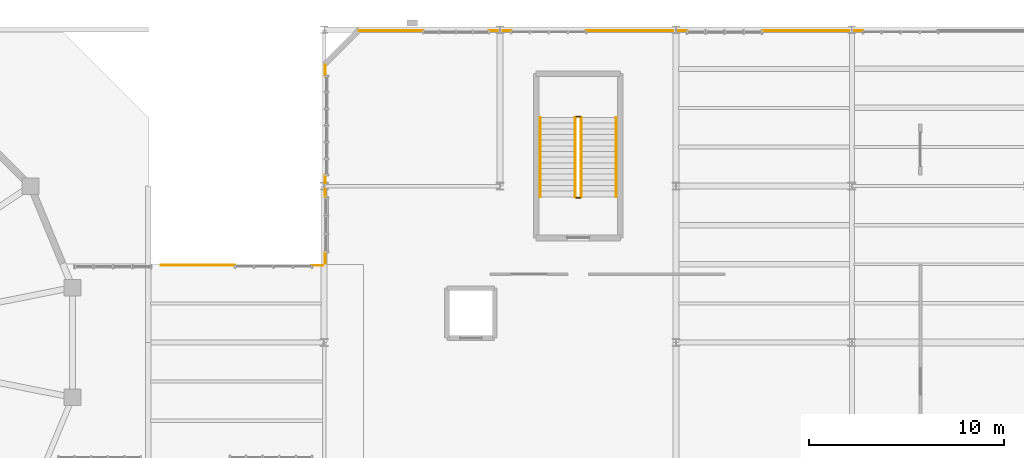
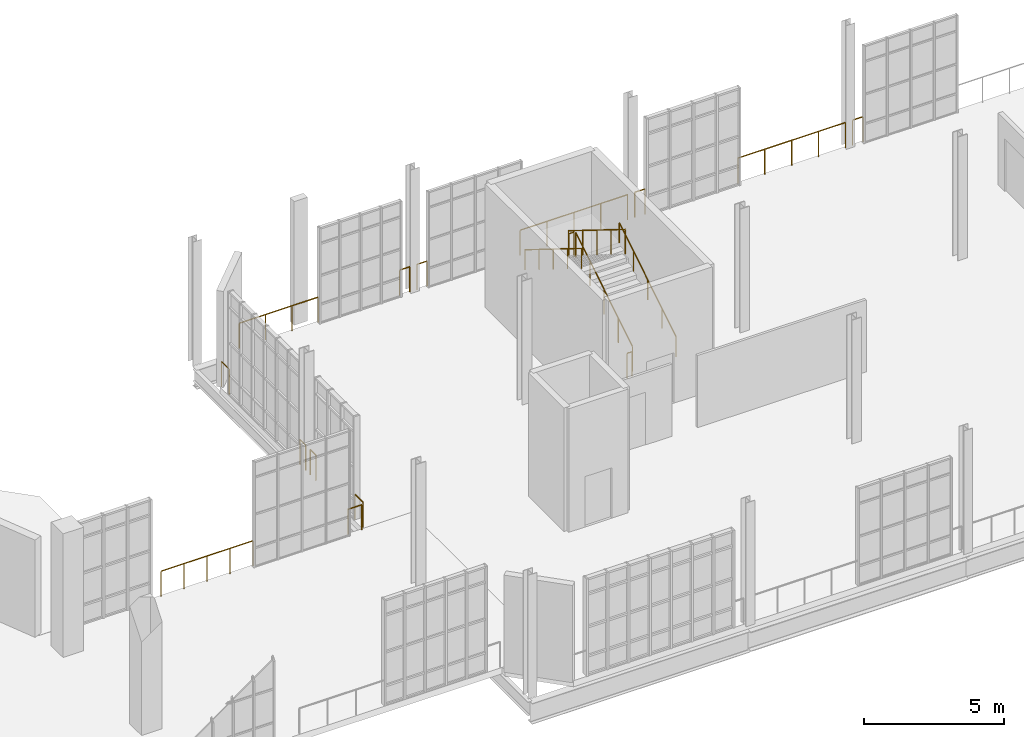
# One storey, part 139 of 142: 19 railings.
"""IFC4 building model written with IfcOpenShell, lengths in metres."""

from ifc_helpers import new_model, si_unit, direction, frame, origin, origin_2d, place, context, subcontext, project, spatial, circle, extrude, material, type_object, element, save


model = new_model("IFC4")

# Units and contexts
model_context = context("Model", 3, precision=1e-05, world=origin(), true_north=direction((0.0, 1.0)))
body_context = subcontext(model_context, "Body", "Model", "MODEL_VIEW")
ifc_project = project(units=[si_unit("LENGTHUNIT", "METRE"), si_unit("AREAUNIT", "SQUARE_METRE"), si_unit("VOLUMEUNIT", "CUBIC_METRE"), si_unit("PLANEANGLEUNIT", "RADIAN"), si_unit("MASSUNIT", "GRAM", prefix="KILO"), si_unit("THERMODYNAMICTEMPERATUREUNIT", "KELVIN"), si_unit("POWERUNIT", "WATT")], contexts=[model_context])

# Site, building, storey
site_placement = place(None, origin())
site = spatial("IfcSite", under=ifc_project, at=site_placement, CompositionType="ELEMENT")
building_placement = place(site_placement, origin())
building = spatial("IfcBuilding", under=site, at=building_placement, Name="Zelmaris Science Centre", CompositionType="ELEMENT")
storey_placement = place(building_placement, frame((0.0, 0.0, 5.39990234375)))
storey = spatial("IfcBuildingStorey", under=building, at=storey_placement, Name="L01", CompositionType="ELEMENT", Elevation=5.39990234375)

# Railings
ifc_material = material(Name="Architectural bronze alloy C28000")
railing_type_1 = type_object("IfcRailingType", Name="Balustrade GD-01 H1120", PredefinedType="BALUSTRADE", material=ifc_material)
railing_1_placement = place(storey_placement, frame((45.649658203125, 75.941650390625, 0.0)))
element("IfcRailing", 1, at=railing_1_placement, inside=storey, type_object=railing_type_1, Name="L01 Perimeter safety balustrade 50", PredefinedType="BALUSTRADE", context=body_context, shape_type="SweptSolid", body=[
    extrude(circle(Radius=0.02392578125, at=origin_2d()), frame((0.0, 0.0, 1.09619140625), z_axis=(0.999999981339, -0.000193186937, 0.0), x_axis=(0.000193186937, 0.999999981339, 0.0)), (0.0, 0.0, 1.0), 3.791259765625),
    extrude(circle(Radius=0.02099609375, at=origin_2d()), origin(), (0.0, 0.0, 1.0), 1.072021484375),
    extrude(circle(Radius=0.02099609375, at=origin_2d()), frame((0.94775390625, -0.000244140625, 0.0)), (0.0, 0.0, 1.0), 1.072021484375),
    extrude(circle(Radius=0.02099609375, at=origin_2d()), frame((1.8955078125, -0.00048828125, 0.0)), (0.0, 0.0, 1.0), 1.072021484375),
    extrude(circle(Radius=0.02099609375, at=origin_2d()), frame((2.843505859375, -0.00048828125, 0.0)), (0.0, 0.0, 1.0), 1.072021484375),
    extrude(circle(Radius=0.02099609375, at=origin_2d()), frame((3.791259765625, -0.000732421875, 0.0)), (0.0, 0.0, 1.0), 1.072021484375),
])
railing_2_placement = place(storey_placement, frame((53.3701171875, 75.940185546875, 0.0)))
element("IfcRailing", 2, at=railing_2_placement, inside=storey, type_object=railing_type_1, Name="L01 Perimeter safety balustrade 51", PredefinedType="BALUSTRADE", context=body_context, shape_type="SweptSolid", body=[
    extrude(circle(Radius=0.02392578125, at=origin_2d()), frame((0.0, 0.0, 1.09619140625), z_axis=(0.999999908216, -0.000428448975, 0.0), x_axis=(0.000428448975, 0.999999908216, 0.0)), (0.0, 0.0, 1.0), 0.56982421875),
    extrude(circle(Radius=0.02099609375, at=origin_2d()), origin(), (0.0, 0.0, 1.0), 1.072021484375),
    extrude(circle(Radius=0.02099609375, at=origin_2d()), frame((0.56982421875, -0.000244140625, 0.0)), (0.0, 0.0, 1.0), 1.072021484375),
])
railing_3_placement = place(storey_placement, frame((54.06005859375, 76.06005859375, 0.0)))
element("IfcRailing", 3, at=railing_3_placement, inside=storey, type_object=railing_type_1, Name="L01 Perimeter safety balustrade 52", PredefinedType="BALUSTRADE", context=body_context, shape_type="SweptSolid", body=[
    extrude(circle(Radius=0.02392578125, at=origin_2d()), frame((0.0, 0.0, 1.09619140625), z_axis=(0.0, 1.0, 0.0), x_axis=(-1.0, 0.0, 0.0)), (0.0, 0.0, 1.0), 0.56982421875),
    extrude(circle(Radius=0.02099609375, at=origin_2d()), origin(), (0.0, 0.0, 1.0), 1.072021484375),
    extrude(circle(Radius=0.02099609375, at=origin_2d()), frame((0.0, 0.56982421875, 0.0)), (0.0, 0.0, 1.0), 1.072021484375),
])
for number, where, name in (
    (4, (54.06005859375, 79.429931640625, 0.0), "L01 Perimeter safety balustrade 53"),
    (5, (54.06005859375, 80.1630859375, 0.0), "L01 Perimeter safety balustrade 54"),
):
    element("IfcRailing", number, at=place(storey_placement, frame(where)), inside=storey, type_object=railing_type_1, Name=name, PredefinedType="BALUSTRADE", context=body_context, shape_type="SweptSolid", body=[
        extrude(circle(Radius=0.02392578125, at=origin_2d()), frame((0.0, 0.0, 1.09619140625), z_axis=(0.0, 1.0, 0.0), x_axis=(-1.0, 0.0, 0.0)), (0.0, 0.0, 1.0), 0.406982421875),
        extrude(circle(Radius=0.02099609375, at=origin_2d()), origin(), (0.0, 0.0, 1.0), 1.072021484375),
        extrude(circle(Radius=0.02099609375, at=origin_2d()), frame((0.0, 0.406982421875, 0.0)), (0.0, 0.0, 1.0), 1.072021484375),
    ])
railing_4_placement = place(storey_placement, frame((54.06005859375, 85.6298828125, 0.0)))
element("IfcRailing", 6, at=railing_4_placement, inside=storey, type_object=railing_type_1, Name="L01 Perimeter safety balustrade 55", PredefinedType="BALUSTRADE", context=body_context, shape_type="SweptSolid", body=[
    extrude(circle(Radius=0.02392578125, at=origin_2d()), frame((0.0, 0.0, 1.09619140625), z_axis=(0.0, 1.0, 0.0), x_axis=(-1.0, 0.0, 0.0)), (0.0, 0.0, 1.0), 0.570068359375),
    extrude(circle(Radius=0.02099609375, at=origin_2d()), origin(), (0.0, 0.0, 1.0), 1.072021484375),
    extrude(circle(Radius=0.02099609375, at=origin_2d()), frame((0.0, 0.570068359375, 0.0)), (0.0, 0.0, 1.0), 1.072021484375),
])
railing_5_placement = place(storey_placement, frame((55.800048828125, 87.93994140625, 0.0)))
element("IfcRailing", 7, at=railing_5_placement, inside=storey, type_object=railing_type_1, Name="L01 Perimeter safety balustrade 56", PredefinedType="BALUSTRADE", context=body_context, shape_type="SweptSolid", body=[
    extrude(circle(Radius=0.02392578125, at=origin_2d()), frame((0.0, 0.0, 1.09619140625), z_axis=(1.0, 0.0, 0.0), x_axis=(0.0, 1.0, 0.0)), (0.0, 0.0, 1.0), 3.27001953125),
    extrude(circle(Radius=0.02099609375, at=origin_2d()), origin(), (0.0, 0.0, 1.0), 1.072021484375),
    extrude(circle(Radius=0.02099609375, at=origin_2d()), frame((1.090087890625, 0.0, 0.0)), (0.0, 0.0, 1.0), 1.072021484375),
    extrude(circle(Radius=0.02099609375, at=origin_2d()), frame((2.179931640625, 0.0, 0.0)), (0.0, 0.0, 1.0), 1.072021484375),
    extrude(circle(Radius=0.02099609375, at=origin_2d()), frame((3.27001953125, 0.0, 0.0)), (0.0, 0.0, 1.0), 1.072021484375),
])
for number, where, name in (
    (8, (62.429931640625, 87.93994140625, 0.0), "L01 Perimeter safety balustrade 57"),
    (9, (63.14794921875, 87.93994140625, 0.0), "L01 Perimeter safety balustrade 58"),
):
    element("IfcRailing", number, at=place(storey_placement, frame(where)), inside=storey, type_object=railing_type_1, Name=name, PredefinedType="BALUSTRADE", context=body_context, shape_type="SweptSolid", body=[
        extrude(circle(Radius=0.02392578125, at=origin_2d()), frame((0.0, 0.0, 1.09619140625), z_axis=(1.0, 0.0, 0.0), x_axis=(0.0, 1.0, 0.0)), (0.0, 0.0, 1.0), 0.422119140625),
        extrude(circle(Radius=0.02099609375, at=origin_2d()), origin(), (0.0, 0.0, 1.0), 1.072021484375),
        extrude(circle(Radius=0.02099609375, at=origin_2d()), frame((0.422119140625, 0.0, 0.0)), (0.0, 0.0, 1.0), 1.072021484375),
    ])
railing_6_placement = place(storey_placement, frame((67.409912109375, 87.93994140625, 0.0)))
element("IfcRailing", 10, at=railing_6_placement, inside=storey, type_object=railing_type_1, Name="L01 Perimeter safety balustrade 59", PredefinedType="BALUSTRADE", context=body_context, shape_type="SweptSolid", body=[
    extrude(circle(Radius=0.02392578125, at=origin_2d()), frame((0.0, 0.0, 1.09619140625), z_axis=(1.0, 0.0, 0.0), x_axis=(0.0, 1.0, 0.0)), (0.0, 0.0, 1.0), 4.442138671875),
    extrude(circle(Radius=0.02099609375, at=origin_2d()), origin(), (0.0, 0.0, 1.0), 1.072021484375),
    extrude(circle(Radius=0.02099609375, at=origin_2d()), frame((1.110595703125, 0.0, 0.0)), (0.0, 0.0, 1.0), 1.072021484375),
    extrude(circle(Radius=0.02099609375, at=origin_2d()), frame((2.22119140625, 0.0, 0.0)), (0.0, 0.0, 1.0), 1.072021484375),
    extrude(circle(Radius=0.02099609375, at=origin_2d()), frame((3.33154296875, 0.0, 0.0)), (0.0, 0.0, 1.0), 1.072021484375),
    extrude(circle(Radius=0.02099609375, at=origin_2d()), frame((4.442138671875, 0.0, 0.0)), (0.0, 0.0, 1.0), 1.072021484375),
])
railing_7_placement = place(storey_placement, frame((72.14794921875, 87.93994140625, 0.0)))
element("IfcRailing", 11, at=railing_7_placement, inside=storey, type_object=railing_type_1, Name="L01 Perimeter safety balustrade 60", PredefinedType="BALUSTRADE", context=body_context, shape_type="SweptSolid", body=[
    extrude(circle(Radius=0.02392578125, at=origin_2d()), frame((0.0, 0.0, 1.09619140625), z_axis=(1.0, 0.0, 0.0), x_axis=(0.0, 1.0, 0.0)), (0.0, 0.0, 1.0), 0.422119140625),
    extrude(circle(Radius=0.02099609375, at=origin_2d()), origin(), (0.0, 0.0, 1.0), 1.072021484375),
    extrude(circle(Radius=0.02099609375, at=origin_2d()), frame((0.422119140625, 0.0, 0.0)), (0.0, 0.0, 1.0), 1.072021484375),
])
railing_8_placement = place(storey_placement, frame((76.409912109375, 87.93994140625, 0.0)))
element("IfcRailing", 12, at=railing_8_placement, inside=storey, type_object=railing_type_1, Name="L01 Perimeter safety balustrade 61", PredefinedType="BALUSTRADE", context=body_context, shape_type="SweptSolid", body=[
    extrude(circle(Radius=0.02392578125, at=origin_2d()), frame((0.0, 0.0, 1.09619140625), z_axis=(1.0, 0.0, 0.0), x_axis=(0.0, 1.0, 0.0)), (0.0, 0.0, 1.0), 4.442138671875),
    extrude(circle(Radius=0.02099609375, at=origin_2d()), origin(), (0.0, 0.0, 1.0), 1.072021484375),
    extrude(circle(Radius=0.02099609375, at=origin_2d()), frame((1.110595703125, 0.0, 0.0)), (0.0, 0.0, 1.0), 1.072021484375),
    extrude(circle(Radius=0.02099609375, at=origin_2d()), frame((2.22119140625, 0.0, 0.0)), (0.0, 0.0, 1.0), 1.072021484375),
    extrude(circle(Radius=0.02099609375, at=origin_2d()), frame((3.33154296875, 0.0, 0.0)), (0.0, 0.0, 1.0), 1.072021484375),
    extrude(circle(Radius=0.02099609375, at=origin_2d()), frame((4.442138671875, 0.0, 0.0)), (0.0, 0.0, 1.0), 1.072021484375),
])
railing_9_placement = place(storey_placement, frame((81.14794921875, 87.93994140625, 0.0)))
element("IfcRailing", 13, at=railing_9_placement, inside=storey, type_object=railing_type_1, Name="L01 Perimeter safety balustrade 62", PredefinedType="BALUSTRADE", context=body_context, shape_type="SweptSolid", body=[
    extrude(circle(Radius=0.02392578125, at=origin_2d()), frame((0.0, 0.0, 1.09619140625), z_axis=(1.0, 0.0, 0.0), x_axis=(0.0, 1.0, 0.0)), (0.0, 0.0, 1.0), 0.422119140625),
    extrude(circle(Radius=0.02099609375, at=origin_2d()), origin(), (0.0, 0.0, 1.0), 1.072021484375),
    extrude(circle(Radius=0.02099609375, at=origin_2d()), frame((0.422119140625, 0.0, 0.0)), (0.0, 0.0, 1.0), 1.072021484375),
])
railing_10_placement = place(storey_placement, frame((67.14990234375, 79.449951171875, 0.18017578125)))
element("IfcRailing", 14, at=railing_10_placement, inside=storey, type_object=railing_type_1, Name="L01 ST-3 stair guard 1", PredefinedType="BALUSTRADE", context=body_context, shape_type="SweptSolid", body=[
    extrude(circle(Radius=0.02392578125, at=origin_2d()), frame((0.0, 0.0, 1.076171875), z_axis=(0.0, 0.849641744969, 0.527360318194), x_axis=(-1.0, 0.0, 0.0)), (0.0, 0.0, 1.0), 4.778564453125),
    extrude(circle(Radius=0.02099609375, at=origin_2d()), origin(), (0.0, 0.0, 1.0), 1.052001953125),
    extrude(circle(Radius=0.02099609375, at=origin_2d()), frame((0.0, 1.01513671875, 0.6298828125)), (0.0, 0.0, 1.0), 1.052001953125),
    extrude(circle(Radius=0.02099609375, at=origin_2d()), frame((0.0, 2.030029296875, 1.260009765625)), (0.0, 0.0, 1.0), 1.052001953125),
    extrude(circle(Radius=0.02099609375, at=origin_2d()), frame((0.0, 3.044921875, 1.89013671875)), (0.0, 0.0, 1.0), 1.052001953125),
    extrude(circle(Radius=0.02099609375, at=origin_2d()), frame((0.0, 4.06005859375, 2.52001953125)), (0.0, 0.0, 1.0), 1.052001953125),
])
railing_11_placement = place(storey_placement, frame((67.10009765625, 83.56005859375, 2.7001953125)))
element("IfcRailing", 15, at=railing_11_placement, inside=storey, type_object=railing_type_1, Name="L01 ST-3 stair guard 2", PredefinedType="BALUSTRADE", context=body_context, shape_type="SweptSolid", body=[
    extrude(circle(Radius=0.02392578125, at=origin_2d()), frame((0.0, 0.0, 1.076171875), z_axis=(-1.0, 0.0, 0.0), x_axis=(0.0, -1.0, 0.0)), (0.0, 0.0, 1.0), 0.2001953125),
    extrude(circle(Radius=0.02099609375, at=origin_2d()), origin(), (0.0, 0.0, 1.0), 1.052001953125),
    extrude(circle(Radius=0.02099609375, at=origin_2d()), frame((-0.2001953125, 0.0, 0.0)), (0.0, 0.0, 1.0), 1.052001953125),
])
railing_12_placement = place(storey_placement, frame((66.85009765625, 83.510009765625, 2.880126953125)))
element("IfcRailing", 16, at=railing_12_placement, inside=storey, type_object=railing_type_1, Name="L01 ST-3 stair guard 3", PredefinedType="BALUSTRADE", context=body_context, shape_type="SweptSolid", body=[
    extrude(circle(Radius=0.02392578125, at=origin_2d()), frame((0.0, 0.0, 1.076171875), z_axis=(0.0, -0.849641744969, 0.527360318194), x_axis=(1.0, 0.0, 0.0)), (0.0, 0.0, 1.0), 4.778564453125),
    extrude(circle(Radius=0.02099609375, at=origin_2d()), origin(), (0.0, 0.0, 1.0), 1.052001953125),
    extrude(circle(Radius=0.02099609375, at=origin_2d()), frame((0.0, -1.01513671875, 0.6298828125)), (0.0, 0.0, 1.0), 1.052001953125),
    extrude(circle(Radius=0.02099609375, at=origin_2d()), frame((0.0, -2.030029296875, 1.260009765625)), (0.0, 0.0, 1.0), 1.052001953125),
    extrude(circle(Radius=0.02099609375, at=origin_2d()), frame((0.0, -3.044921875, 1.89013671875)), (0.0, 0.0, 1.0), 1.052001953125),
    extrude(circle(Radius=0.02099609375, at=origin_2d()), frame((0.0, -4.06005859375, 2.52001953125)), (0.0, 0.0, 1.0), 1.052001953125),
])
railing_13_placement = place(storey_placement, frame((67.10009765625, 79.39990234375, 0.0)))
element("IfcRailing", 17, at=railing_13_placement, inside=storey, type_object=railing_type_1, Name="L01 ST-3 stair guard 4", PredefinedType="BALUSTRADE", context=body_context, shape_type="SweptSolid", body=[
    extrude(circle(Radius=0.02392578125, at=origin_2d()), frame((0.0, 0.0, 1.076171875), z_axis=(-1.0, 0.0, 0.0), x_axis=(0.0, -1.0, 0.0)), (0.0, 0.0, 1.0), 0.2001953125),
    extrude(circle(Radius=0.02099609375, at=origin_2d()), origin(), (0.0, 0.0, 1.0), 1.052001953125),
    extrude(circle(Radius=0.02099609375, at=origin_2d()), frame((-0.2001953125, 0.0, 0.0)), (0.0, 0.0, 1.0), 1.052001953125),
])
railing_type_2 = type_object("IfcRailingType", Name="Handrail HR-01 H900", PredefinedType="HANDRAIL", material=ifc_material)
railing_14_placement = place(storey_placement, frame((68.949951171875, 79.449951171875, 0.18017578125)))
element("IfcRailing", 18, at=railing_14_placement, inside=storey, type_object=railing_type_2, Name="L01 ST-3 stair handrail 1", PredefinedType="HANDRAIL", context=body_context, shape_type="SweptSolid", body=[
    extrude(circle(Radius=0.02392578125, at=origin_2d()), frame((0.0, 0.0, 0.8759765625), z_axis=(0.0, 0.849641744969, 0.527360318194), x_axis=(-1.0, 0.0, 0.0)), (0.0, 0.0, 1.0), 4.778564453125),
    extrude(circle(Radius=0.02099609375, at=origin_2d()), origin(), (0.0, 0.0, 1.0), 0.851806640625),
    extrude(circle(Radius=0.02099609375, at=origin_2d()), frame((0.0, 1.01513671875, 0.6298828125)), (0.0, 0.0, 1.0), 0.851806640625),
    extrude(circle(Radius=0.02099609375, at=origin_2d()), frame((0.0, 2.030029296875, 1.260009765625)), (0.0, 0.0, 1.0), 0.851806640625),
    extrude(circle(Radius=0.02099609375, at=origin_2d()), frame((0.0, 3.044921875, 1.89013671875)), (0.0, 0.0, 1.0), 0.851806640625),
    extrude(circle(Radius=0.02099609375, at=origin_2d()), frame((0.0, 4.06005859375, 2.52001953125)), (0.0, 0.0, 1.0), 0.851806640625),
])
railing_15_placement = place(storey_placement, frame((65.050048828125, 83.510009765625, 2.880126953125)))
element("IfcRailing", 19, at=railing_15_placement, inside=storey, type_object=railing_type_2, Name="L01 ST-3 stair handrail 2", PredefinedType="HANDRAIL", context=body_context, shape_type="SweptSolid", body=[
    extrude(circle(Radius=0.02392578125, at=origin_2d()), frame((0.0, 0.0, 0.8759765625), z_axis=(0.0, -0.849641744969, 0.527360318194), x_axis=(1.0, 0.0, 0.0)), (0.0, 0.0, 1.0), 4.778564453125),
    extrude(circle(Radius=0.02099609375, at=origin_2d()), origin(), (0.0, 0.0, 1.0), 0.851806640625),
    extrude(circle(Radius=0.02099609375, at=origin_2d()), frame((0.0, -1.01513671875, 0.6298828125)), (0.0, 0.0, 1.0), 0.851806640625),
    extrude(circle(Radius=0.02099609375, at=origin_2d()), frame((0.0, -2.030029296875, 1.260009765625)), (0.0, 0.0, 1.0), 0.851806640625),
    extrude(circle(Radius=0.02099609375, at=origin_2d()), frame((0.0, -3.044921875, 1.89013671875)), (0.0, 0.0, 1.0), 0.851806640625),
    extrude(circle(Radius=0.02099609375, at=origin_2d()), frame((0.0, -4.06005859375, 2.52001953125)), (0.0, 0.0, 1.0), 0.851806640625),
])

save(model, "model.ifc")
